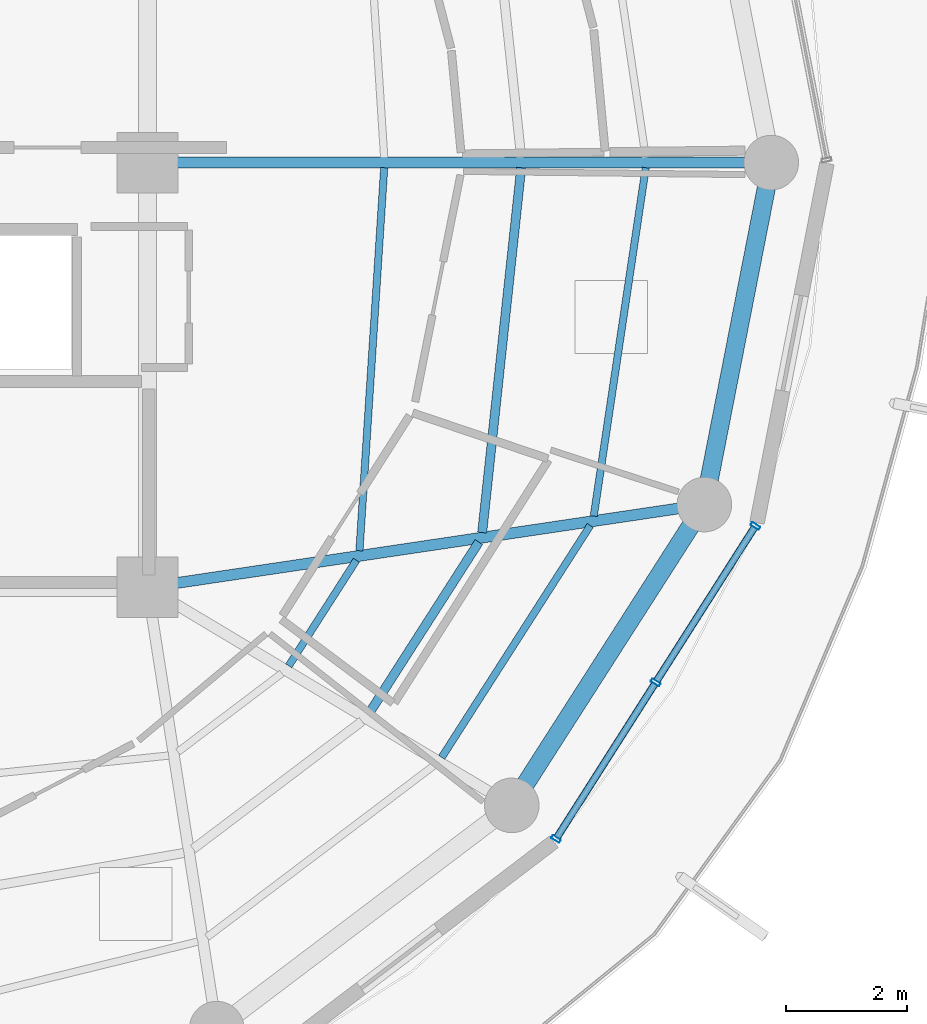
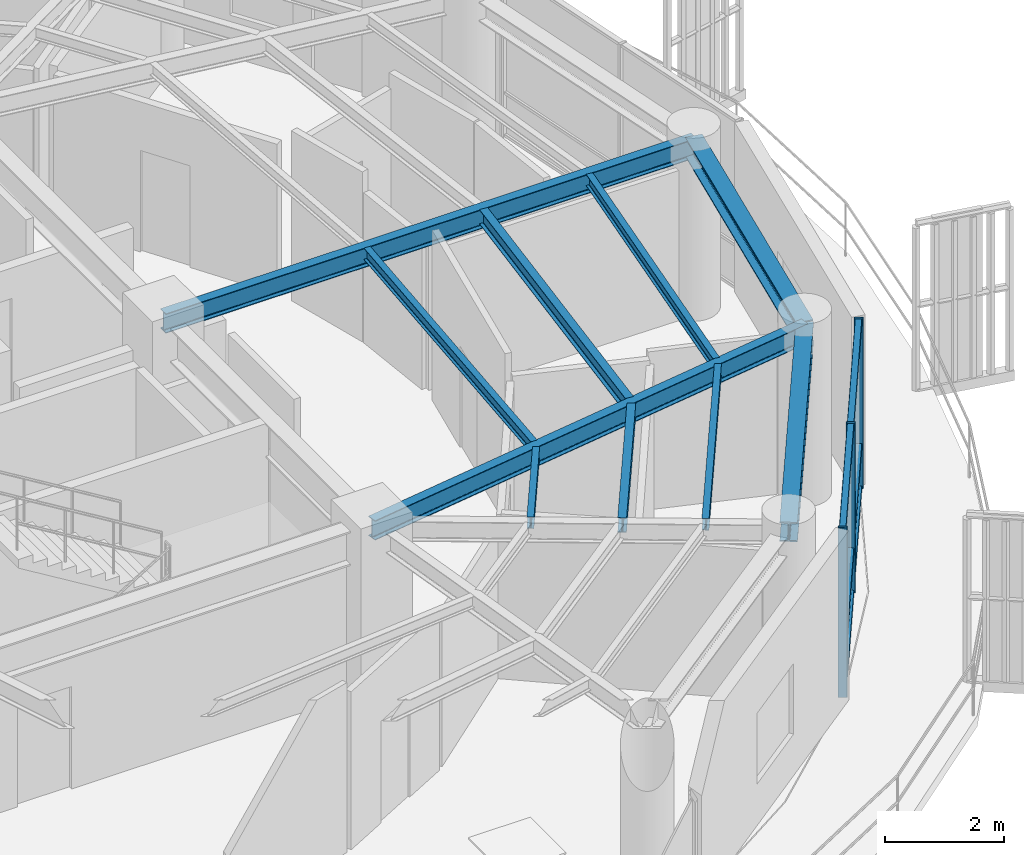
# One storey, part 10 of 23: 10 beams, 9 members, 1 element without a shape of its own.
"""IFC4 building model written with IfcOpenShell, lengths in metres."""

from ifc_helpers import new_model, si_unit, direction, frame, origin, origin_2d, place, context, subcontext, project, spatial, hollow_rectangle, i_section, extrude, material, layer, layer_set, material_profile, profile_set, type_object, element, aggregate, save


model = new_model("IFC4")

# Units and contexts
model_context = context("Model", 3, precision=1e-05, world=origin(), true_north=direction((0.0, 1.0)))
body_context = subcontext(model_context, "Body", "Model", "MODEL_VIEW")
ifc_project = project(units=[si_unit("LENGTHUNIT", "METRE"), si_unit("AREAUNIT", "SQUARE_METRE"), si_unit("VOLUMEUNIT", "CUBIC_METRE"), si_unit("PLANEANGLEUNIT", "RADIAN"), si_unit("MASSUNIT", "GRAM", prefix="KILO")], contexts=[model_context])

# Site, building, storey
site_placement = place(None, origin())
site = spatial("IfcSite", under=ifc_project, at=site_placement, CompositionType="ELEMENT")
building_placement = place(site_placement, origin())
building = spatial("IfcBuilding", under=site, at=building_placement, Name="Kelanora Arch Commons", CompositionType="ELEMENT")
storey_placement = place(building_placement, frame((0.0, 0.0, 252.449951171875)))
storey = spatial("IfcBuildingStorey", under=building, at=storey_placement, Name="L64", CompositionType="ELEMENT", Elevation=252.449951171875)

# Beams
ifc_material_1 = material(Name="Steel S355", Category="steel")
ifc_material_profile_1 = material_profile(ifc_material_1, i_section(OverallWidth=0.14990234375, OverallDepth=0.300048828125, WebThickness=0.007080078125, FlangeThickness=0.0107421875, FilletRadius=0.014892578125, at=origin_2d()), Name="IPE300")
ifc_profile_set_1 = profile_set([ifc_material_profile_1], Name="Steel S355")
beam_type_1 = type_object("IfcBeamType", Name="BM-JST-01", PredefinedType="JOIST", material=ifc_profile_set_1)
beam_1_placement = place(storey_placement, frame((85.647705078125, 48.915771484375, 3.340087890625), z_axis=(0.539321586177, 0.842099891155, 0.0), x_axis=(-0.842099891155, 0.539321586177, 0.0)))
element("IfcBeam", 1, at=beam_1_placement, inside=storey, type_object=beam_type_1, Name="Secondary Chord Joist BJB-32 L64", PredefinedType="JOIST", context=body_context, shape_type="SweptSolid", body=[
    extrude(i_section(OverallWidth=0.14990234375, OverallDepth=0.300048828125, WebThickness=0.007080078125, FlangeThickness=0.0107421875, FilletRadius=0.014892578125, at=origin_2d()), origin(), (0.0, 0.0, 1.0), 3.361572265625),
])
beam_2_placement = place(storey_placement, frame((87.515625, 51.902587890625, 3.340087890625), z_axis=(0.106380594087, 0.994325484538, 0.0), x_axis=(-0.994325484538, 0.106380594087, 0.0)))
element("IfcBeam", 2, at=beam_2_placement, inside=storey, type_object=beam_type_1, Name="Secondary Chord Joist BJB-34 L64", PredefinedType="JOIST", context=body_context, shape_type="SweptSolid", body=[
    extrude(i_section(OverallWidth=0.14990234375, OverallDepth=0.300048828125, WebThickness=0.007080078125, FlangeThickness=0.0107421875, FilletRadius=0.014892578125, at=origin_2d()), origin(), (0.0, 0.0, 1.0), 6.04736328125),
])
ifc_material_profile_2 = material_profile(ifc_material_1, i_section(OverallWidth=0.1201171875, OverallDepth=0.239990234375, WebThickness=0.006103515625, FlangeThickness=0.009765625, FilletRadius=0.014892578125, at=origin_2d()), Name="IPE240")
ifc_profile_set_2 = profile_set([ifc_material_profile_2], Name="Steel S355")
beam_type_2 = type_object("IfcBeamType", Name="BM-JST-02", PredefinedType="JOIST", material=ifc_profile_set_2)
beam_3_placement = place(storey_placement, frame((84.3271484375, 49.706298828125, 3.3701171875), z_axis=(0.539311810315, 0.842106152011, 0.0), x_axis=(-0.842106152011, 0.539311810315, 0.0)))
element("IfcBeam", 3, at=beam_3_placement, inside=storey, type_object=beam_type_2, Name="Secondary Chord Joist BJA-32 L64", PredefinedType="JOIST", context=body_context, shape_type="SweptSolid", body=[
    extrude(i_section(OverallWidth=0.1201171875, OverallDepth=0.239990234375, WebThickness=0.006103515625, FlangeThickness=0.009765625, FilletRadius=0.014892578125, at=origin_2d()), origin(), (0.0, 0.0, 1.0), 2.06640625),
])
beam_4_placement = place(storey_placement, frame((86.848388671875, 48.197021484375, 3.3701171875), z_axis=(0.539288735289, 0.842120929552, 0.0), x_axis=(-0.842120929552, 0.539288735289, 0.0)))
element("IfcBeam", 4, at=beam_4_placement, inside=storey, type_object=beam_type_2, Name="Secondary Chord Joist BJC-32 L64", PredefinedType="JOIST", context=body_context, shape_type="SweptSolid", body=[
    extrude(i_section(OverallWidth=0.1201171875, OverallDepth=0.239990234375, WebThickness=0.006103515625, FlangeThickness=0.009765625, FilletRadius=0.014892578125, at=origin_2d()), origin(), (0.0, 0.0, 1.0), 4.538818359375),
])
beam_5_placement = place(storey_placement, frame((85.492919921875, 51.60302734375, 3.3701171875), z_axis=(0.064495107978, 0.99791802321, 0.0), x_axis=(-0.99791802321, 0.064495107978, 0.0)))
element("IfcBeam", 5, at=beam_5_placement, inside=storey, type_object=beam_type_2, Name="Secondary Chord Joist BJA-34 L64", PredefinedType="JOIST", context=body_context, shape_type="SweptSolid", body=[
    extrude(i_section(OverallWidth=0.1201171875, OverallDepth=0.239990234375, WebThickness=0.006103515625, FlangeThickness=0.009765625, FilletRadius=0.014892578125, at=origin_2d()), origin(), (0.0, 0.0, 1.0), 6.325439453125),
])
beam_6_placement = place(storey_placement, frame((89.3544921875, 52.1748046875, 3.3701171875), z_axis=(0.14762470282, 0.989043450571, 0.0), x_axis=(-0.989043450571, 0.14762470282, 0.0)))
element("IfcBeam", 6, at=beam_6_placement, inside=storey, type_object=beam_type_2, Name="Secondary Chord Joist BJC-34 L64", PredefinedType="JOIST", context=body_context, shape_type="SweptSolid", body=[
    extrude(i_section(OverallWidth=0.1201171875, OverallDepth=0.239990234375, WebThickness=0.006103515625, FlangeThickness=0.009765625, FilletRadius=0.014892578125, at=origin_2d()), origin(), (0.0, 0.0, 1.0), 5.804931640625),
])
ifc_material_profile_3 = material_profile(ifc_material_1, i_section(OverallWidth=0.179931640625, OverallDepth=0.39990234375, WebThickness=0.008544921875, FlangeThickness=0.013427734375, FilletRadius=0.02099609375, at=origin_2d()), Name="IPE400")
ifc_profile_set_3 = profile_set([ifc_material_profile_3], Name="Steel S355")
beam_type_3 = type_object("IfcBeamType", Name="BM-RAD-Z5", PredefinedType="BEAM", material=ifc_profile_set_3)
beam_7_placement = place(storey_placement, frame((82.0, 58.0, 3.2900390625), z_axis=(1.0, 0.0, 0.0), x_axis=(0.0, 1.0, 0.0)))
element("IfcBeam", 7, at=beam_7_placement, inside=storey, type_object=beam_type_3, Name="Radial Floor Girder BR-00 L64", PredefinedType="BEAM", context=body_context, shape_type="SweptSolid", body=[
    extrude(i_section(OverallWidth=0.179931640625, OverallDepth=0.39990234375, WebThickness=0.008544921875, FlangeThickness=0.013427734375, FilletRadius=0.02099609375, at=origin_2d()), origin(), (0.0, 0.0, 1.0), 10.280029296875),
])
beam_8_placement = place(storey_placement, frame((82.0, 51.0, 3.2900390625), z_axis=(0.989142485564, 0.146959665395, 0.0), x_axis=(-0.146959665395, 0.989142485564, 0.0)))
element("IfcBeam", 8, at=beam_8_placement, inside=storey, type_object=beam_type_3, Name="Radial Floor Girder BR-34 L64", PredefinedType="BEAM", context=body_context, shape_type="SweptSolid", body=[
    extrude(i_section(OverallWidth=0.179931640625, OverallDepth=0.39990234375, WebThickness=0.008544921875, FlangeThickness=0.013427734375, FilletRadius=0.02099609375, at=origin_2d()), origin(), (0.0, 0.0, 1.0), 9.2783203125),
])
ifc_material_profile_4 = material_profile(ifc_material_1, i_section(OverallWidth=0.300048828125, OverallDepth=0.39990234375, WebThickness=0.013427734375, FlangeThickness=0.02392578125, FilletRadius=0.027099609375, at=origin_2d()), Name="HEB400")
ifc_profile_set_4 = profile_set([ifc_material_profile_4], Name="Steel S355")
beam_type_4 = type_object("IfcBeamType", Name="BM-SPN-Z4", PredefinedType="SPANDREL", material=ifc_profile_set_4)
beam_9_placement = place(storey_placement, frame((88.00341796875, 47.406982421875, 3.2900390625), z_axis=(0.539280851353, 0.842125978322, 0.0), x_axis=(-0.842125978322, 0.539280851353, 0.0)))
element("IfcBeam", 9, at=beam_9_placement, inside=storey, type_object=beam_type_4, Name="Perimeter Spandrel Beam BS-32 L64", PredefinedType="SPANDREL", context=body_context, shape_type="SweptSolid", body=[
    extrude(i_section(OverallWidth=0.300048828125, OverallDepth=0.39990234375, WebThickness=0.013427734375, FlangeThickness=0.02392578125, FilletRadius=0.027099609375, at=origin_2d()), origin(), (0.0, 0.0, 1.0), 5.8857421875),
])
beam_10_placement = place(storey_placement, frame((91.177490234375, 52.363525390625, 3.2900390625), z_axis=(0.191969774604, 0.981400838413, 0.0), x_axis=(-0.981400838413, 0.191969774604, 0.0)))
element("IfcBeam", 10, at=beam_10_placement, inside=storey, type_object=beam_type_4, Name="Perimeter Spandrel Beam BS-34 L64", PredefinedType="SPANDREL", context=body_context, shape_type="SweptSolid", body=[
    extrude(i_section(OverallWidth=0.300048828125, OverallDepth=0.39990234375, WebThickness=0.013427734375, FlangeThickness=0.02392578125, FilletRadius=0.027099609375, at=origin_2d()), origin(), (0.0, 0.0, 1.0), 5.743408203125),
])

# Curtain wall, members
ifc_material_2 = material(Name="Terracotta ceramic-fritted low-E glass and aluminium", Category="masonry")
ifc_layer = layer(ifc_material_2, 0.18994140625)
ifc_layer_set = layer_set([ifc_layer], Name="Terracotta ceramic-fritted low-E glass and aluminium")
curtain_wall_type = type_object("IfcCurtainWallType", Name="CW-SYS-03", PredefinedType="NOTDEFINED", material=ifc_layer_set)
curtain_wall_placement = place(storey_placement, origin())
curtain_wall = element("IfcCurtainWall", 11, at=curtain_wall_placement, inside=storey, type_object=curtain_wall_type, Name="Unitised Curtain Wall L64-B16", PredefinedType="NOTDEFINED")
ifc_material_3 = material(Name="Powder-coated aluminium terracotta", Category="masonry")
ifc_material_profile_5 = material_profile(ifc_material_3, hollow_rectangle(XDim=0.159912109375, YDim=0.06005859375, WallThickness=0.0048828125, InnerFilletRadius=0.0048828125, OuterFilletRadius=0.010009765625, at=origin_2d()), Name="CWM160x60")
ifc_profile_set_5 = profile_set([ifc_material_profile_5], Name="Powder-coated aluminium terracotta")
member_type_1 = type_object("IfcMemberType", Name="CWM-STD", PredefinedType="MULLION", material=ifc_profile_set_5)
member_1_placement = place(storey_placement, frame((88.732421875, 46.853515625, 0.0), z_axis=(0.0, 0.0, 1.0), x_axis=(-0.843391314545, 0.537299814397, 0.0)))
member_1 = element("IfcMember", 12, at=member_1_placement, type_object=member_type_1, Name="CW-03 mullion 1", PredefinedType="MULLION", context=body_context, shape_type="SweptSolid", body=[
    extrude(hollow_rectangle(XDim=0.159912109375, YDim=0.06005859375, WallThickness=0.0048828125, InnerFilletRadius=0.0048828125, OuterFilletRadius=0.010009765625, at=origin_2d()), origin(), (0.0, 0.0, 1.0), 3.47509765625),
])
member_2_placement = place(storey_placement, frame((90.375, 49.43212890625, 0.0), z_axis=(0.0, 0.0, 1.0), x_axis=(-0.843391314545, 0.537299814397, 0.0)))
member_2 = element("IfcMember", 13, at=member_2_placement, type_object=member_type_1, Name="CW-03 mullion 2", PredefinedType="MULLION", context=body_context, shape_type="SweptSolid", body=[
    extrude(hollow_rectangle(XDim=0.159912109375, YDim=0.06005859375, WallThickness=0.0048828125, InnerFilletRadius=0.0048828125, OuterFilletRadius=0.010009765625, at=origin_2d()), origin(), (0.0, 0.0, 1.0), 3.47509765625),
])
member_3_placement = place(storey_placement, frame((92.017822265625, 52.0107421875, 0.0), z_axis=(0.0, 0.0, 1.0), x_axis=(-0.843391314545, 0.537299814397, 0.0)))
member_3 = element("IfcMember", 14, at=member_3_placement, type_object=member_type_1, Name="CW-03 mullion 3", PredefinedType="MULLION", context=body_context, shape_type="SweptSolid", body=[
    extrude(hollow_rectangle(XDim=0.159912109375, YDim=0.06005859375, WallThickness=0.0048828125, InnerFilletRadius=0.0048828125, OuterFilletRadius=0.010009765625, at=origin_2d()), origin(), (0.0, 0.0, 1.0), 3.47509765625),
])
ifc_material_profile_6 = material_profile(ifc_material_3, hollow_rectangle(XDim=0.1201171875, YDim=0.06005859375, WallThickness=0.0048828125, InnerFilletRadius=0.0048828125, OuterFilletRadius=0.010009765625, at=origin_2d()), Name="CWT120x60")
ifc_profile_set_6 = profile_set([ifc_material_profile_6], Name="Powder-coated aluminium terracotta")
member_type_2 = type_object("IfcMemberType", Name="CWT-STD", PredefinedType="USERDEFINED", material=ifc_profile_set_6)
member_4_placement = place(storey_placement, frame((88.74853515625, 46.87890625, 0.030029296875), z_axis=(0.537286543791, 0.84339976871, 0.0), x_axis=(-0.84339976871, 0.537286543791, 0.0)))
member_4 = element("IfcMember", 15, at=member_4_placement, type_object=member_type_2, Name="CW-03 transom 1.1", ObjectType="TRANSOM", PredefinedType="USERDEFINED", context=body_context, shape_type="SweptSolid", body=[
    extrude(hollow_rectangle(XDim=0.1201171875, YDim=0.06005859375, WallThickness=0.0048828125, InnerFilletRadius=0.0048828125, OuterFilletRadius=0.010009765625, at=origin_2d()), origin(), (0.0, 0.0, 1.0), 2.997314453125),
])
member_5_placement = place(storey_placement, frame((88.74853515625, 46.87890625, 0.900146484375), z_axis=(0.537286543791, 0.84339976871, 0.0), x_axis=(-0.84339976871, 0.537286543791, 0.0)))
member_5 = element("IfcMember", 16, at=member_5_placement, type_object=member_type_2, Name="CW-03 transom 1.2", ObjectType="TRANSOM", PredefinedType="USERDEFINED", context=body_context, shape_type="SweptSolid", body=[
    extrude(hollow_rectangle(XDim=0.1201171875, YDim=0.06005859375, WallThickness=0.0048828125, InnerFilletRadius=0.0048828125, OuterFilletRadius=0.010009765625, at=origin_2d()), origin(), (0.0, 0.0, 1.0), 2.997314453125),
])
member_6_placement = place(storey_placement, frame((88.74853515625, 46.87890625, 3.445068359375), z_axis=(0.537286543791, 0.84339976871, 0.0), x_axis=(-0.84339976871, 0.537286543791, 0.0)))
member_6 = element("IfcMember", 17, at=member_6_placement, type_object=member_type_2, Name="CW-03 transom 1.3", ObjectType="TRANSOM", PredefinedType="USERDEFINED", context=body_context, shape_type="SweptSolid", body=[
    extrude(hollow_rectangle(XDim=0.1201171875, YDim=0.06005859375, WallThickness=0.0048828125, InnerFilletRadius=0.0048828125, OuterFilletRadius=0.010009765625, at=origin_2d()), origin(), (0.0, 0.0, 1.0), 2.997314453125),
])
member_7_placement = place(storey_placement, frame((90.39111328125, 49.45751953125, 0.030029296875), z_axis=(0.537307571338, 0.843386372775, 0.0), x_axis=(-0.843386372775, 0.537307571338, 0.0)))
member_7 = element("IfcMember", 18, at=member_7_placement, type_object=member_type_2, Name="CW-03 transom 2.1", ObjectType="TRANSOM", PredefinedType="USERDEFINED", context=body_context, shape_type="SweptSolid", body=[
    extrude(hollow_rectangle(XDim=0.1201171875, YDim=0.06005859375, WallThickness=0.0048828125, InnerFilletRadius=0.0048828125, OuterFilletRadius=0.010009765625, at=origin_2d()), origin(), (0.0, 0.0, 1.0), 2.99755859375),
])
member_8_placement = place(storey_placement, frame((90.39111328125, 49.45751953125, 0.900146484375), z_axis=(0.537307571338, 0.843386372775, 0.0), x_axis=(-0.843386372775, 0.537307571338, 0.0)))
member_8 = element("IfcMember", 19, at=member_8_placement, type_object=member_type_2, Name="CW-03 transom 2.2", ObjectType="TRANSOM", PredefinedType="USERDEFINED", context=body_context, shape_type="SweptSolid", body=[
    extrude(hollow_rectangle(XDim=0.1201171875, YDim=0.06005859375, WallThickness=0.0048828125, InnerFilletRadius=0.0048828125, OuterFilletRadius=0.010009765625, at=origin_2d()), origin(), (0.0, 0.0, 1.0), 2.99755859375),
])
member_9_placement = place(storey_placement, frame((90.39111328125, 49.45751953125, 3.445068359375), z_axis=(0.537307571338, 0.843386372775, 0.0), x_axis=(-0.843386372775, 0.537307571338, 0.0)))
member_9 = element("IfcMember", 20, at=member_9_placement, type_object=member_type_2, Name="CW-03 transom 2.3", ObjectType="TRANSOM", PredefinedType="USERDEFINED", context=body_context, shape_type="SweptSolid", body=[
    extrude(hollow_rectangle(XDim=0.1201171875, YDim=0.06005859375, WallThickness=0.0048828125, InnerFilletRadius=0.0048828125, OuterFilletRadius=0.010009765625, at=origin_2d()), origin(), (0.0, 0.0, 1.0), 2.99755859375),
])
aggregate(curtain_wall, [member_1, member_2, member_3, member_4, member_5, member_6, member_7, member_8, member_9])

save(model, "model.ifc")
